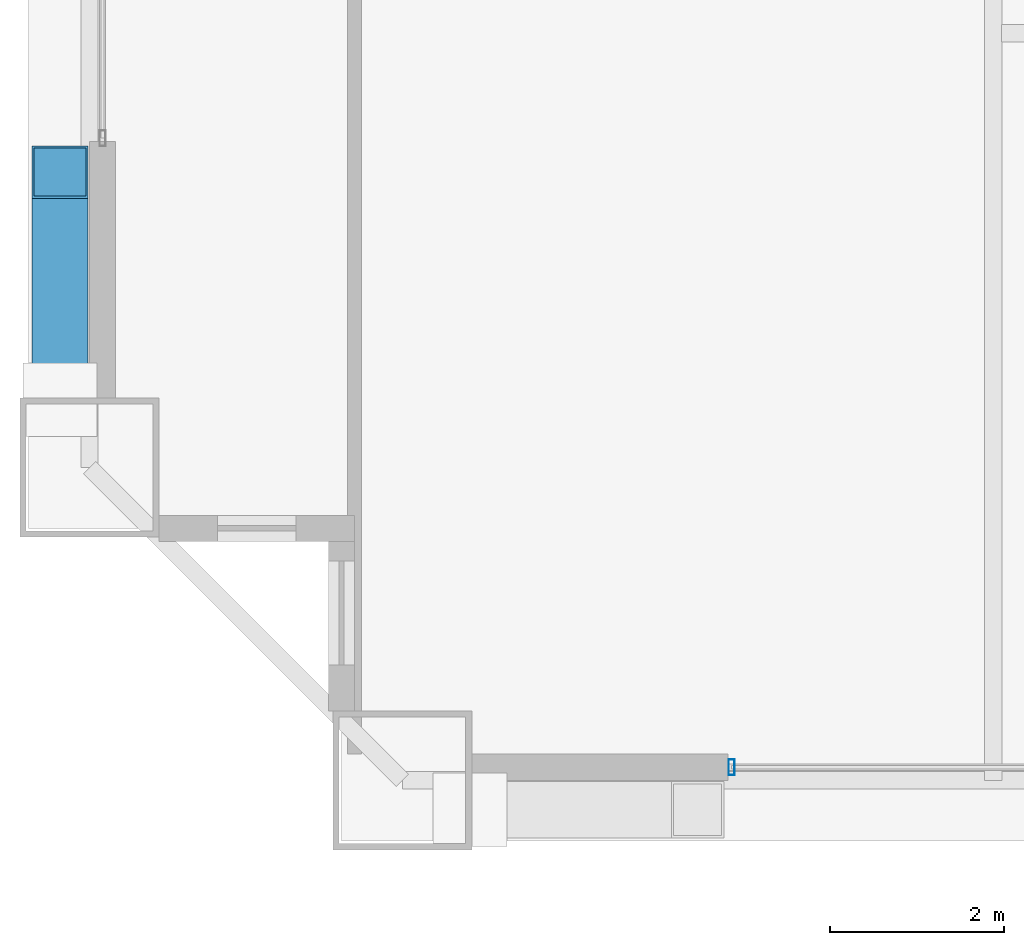
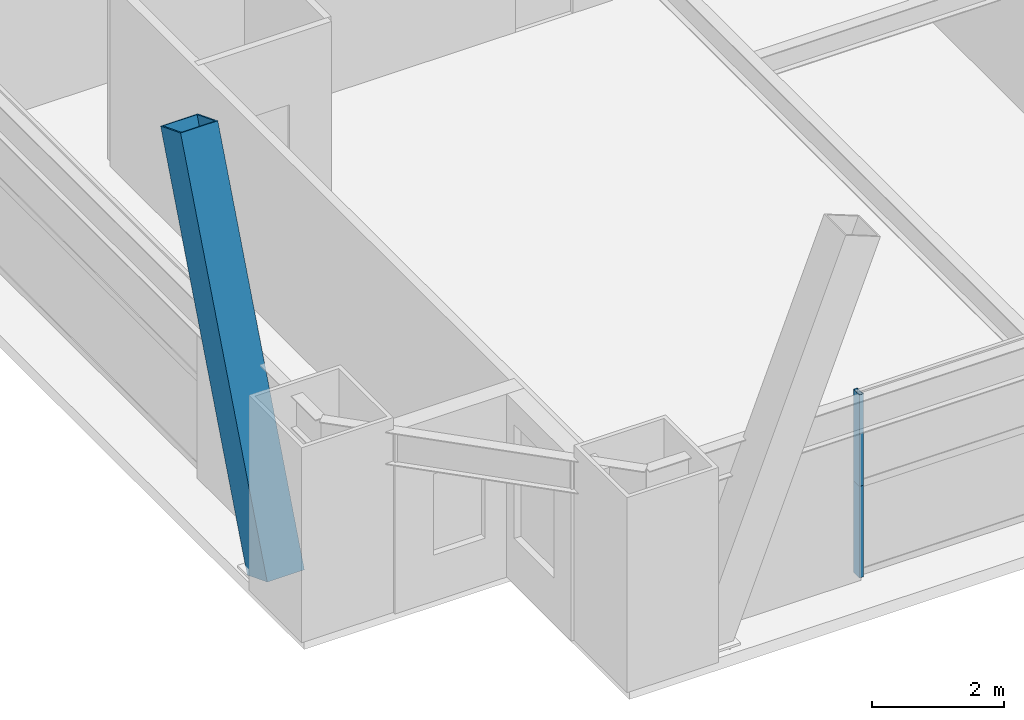
# One storey, part 3 of 43: 3 members, 1 element without a shape of its own.
"""IFC4 building model written with IfcOpenShell, lengths in metres."""

from ifc_helpers import new_model, si_unit, direction, frame, origin, origin_2d, place, context, subcontext, project, spatial, hollow_rectangle, extrude, source, transform, mapped, material, layer, layer_set, material_profile, profile_set, type_object, element, aggregate, save


model = new_model("IFC4")

# Units and contexts
model_context = context("Model", 3, precision=1e-05, world=origin(), true_north=direction((0.0, 1.0)))
body_context = subcontext(model_context, "Body", "Model", "MODEL_VIEW")
ifc_project = project(units=[si_unit("LENGTHUNIT", "METRE"), si_unit("AREAUNIT", "SQUARE_METRE"), si_unit("VOLUMEUNIT", "CUBIC_METRE"), si_unit("PLANEANGLEUNIT", "RADIAN"), si_unit("MASSUNIT", "GRAM", prefix="KILO"), si_unit("THERMODYNAMICTEMPERATUREUNIT", "KELVIN"), si_unit("POWERUNIT", "WATT")], contexts=[model_context])

# Site, building, storey
site_placement = place(None, origin())
site = spatial("IfcSite", under=ifc_project, at=site_placement, CompositionType="ELEMENT")
building_placement = place(site_placement, origin())
building = spatial("IfcBuilding", under=site, at=building_placement, Name="Yuzanri Waterfront Tower", CompositionType="ELEMENT")
storey_placement = place(building_placement, frame((0.0, 0.0, 101.0)))
storey = spatial("IfcBuildingStorey", under=building, at=storey_placement, Name="L26", CompositionType="ELEMENT", Elevation=101.0)

# Member
ifc_material_1 = material(Name="Steel Q420GJC", Category="steel")
ifc_material_profile_1 = material_profile(ifc_material_1, hollow_rectangle(XDim=0.64990234375, YDim=0.64990234375, WallThickness=0.028076171875, at=origin_2d()), Name="RHS 650x650x28")
ifc_profile_set_1 = profile_set([ifc_material_profile_1], Name="Steel Q420GJC")
member_type_1 = type_object("IfcMemberType", Name="Mega Brace Lower Q420GJC RHS 650x650x28", PredefinedType="BRACE", material=ifc_profile_set_1)
shared_shape_1 = source(origin(), body_context, "Body", "SweptSolid", [
    extrude(hollow_rectangle(XDim=0.64990234375, YDim=0.64990234375, WallThickness=0.028076171875, at=origin_2d()), origin(), (0.0, 0.0, 1.0), 7.19384765625),
])
member_1_placement = place(storey_placement, frame((13.06005859375, 6.580078125, 0.179931640625), z_axis=(0.0, 0.36417668996, 0.9313298763), x_axis=(-1.0, 0.0, 0.0)))
element("IfcMember", 1, at=member_1_placement, inside=storey, type_object=member_type_1, Name="L26-L27 Perimeter Mega-Brace W-L", PredefinedType="BRACE", context=body_context, shape_type="MappedRepresentation", body=[
    mapped(shared_shape_1, transform((0.0, 0.0, 0.0), scale=1.0)),
])

# Curtain wall, members
ifc_material_2 = material(Name="Anodized Architectural Bronze", Category="metal")
ifc_layer = layer(ifc_material_2, 0.159912109375)
ifc_layer_set = layer_set([ifc_layer], Name="Anodized Architectural Bronze")
curtain_wall_type = type_object("IfcCurtainWallType", Name="Anodized Bronze Hotel Upper-Tier Solar-Control Unitized Curtain Wall 7800", PredefinedType="NOTDEFINED", material=ifc_layer_set)
curtain_wall_placement = place(storey_placement, origin())
curtain_wall = element("IfcCurtainWall", 2, at=curtain_wall_placement, inside=storey, type_object=curtain_wall_type, Name="L26 Curtain Wall CW-L26-SL1", PredefinedType="NOTDEFINED")
ifc_material_3 = material(Name="Anodized Architectural Bronze", Category="metal")
ifc_material_profile_2 = material_profile(ifc_material_3, hollow_rectangle(XDim=0.070068359375, YDim=0.179931640625, WallThickness=0.00390625, at=origin_2d()), Name="CWM 70x180")
ifc_profile_set_2 = profile_set([ifc_material_profile_2], Name="Anodized Architectural Bronze")
member_type_2 = type_object("IfcMemberType", Name="Anodized Bronze Standard Curtain-Wall Mullion 70x180", PredefinedType="MULLION", material=ifc_profile_set_2)
shared_shape_2 = source(origin(), body_context, "Body", "SweptSolid", [
    extrude(hollow_rectangle(XDim=0.070068359375, YDim=0.179931640625, WallThickness=0.00390625, at=origin_2d()), origin(), (0.0, 0.0, 1.0), 1.68798828125),
])
member_2_placement = place(storey_placement, frame((20.7900390625, 2.35009765625, 0.0), z_axis=(0.0, 0.0, 1.0), x_axis=(1.0, 0.0, 0.0)))
member_2 = element("IfcMember", 3, at=member_2_placement, type_object=member_type_2, Name="CW-L26-SL1 Lower Mullion 00", PredefinedType="MULLION", context=body_context, shape_type="MappedRepresentation", body=[
    mapped(shared_shape_2, transform((0.0, 0.0, 0.0), scale=1.0)),
])
member_3_placement = place(storey_placement, frame((20.7900390625, 2.35009765625, 1.69189453125), z_axis=(0.0, 0.0, 1.0), x_axis=(1.0, 0.0, 0.0)))
member_3 = element("IfcMember", 4, at=member_3_placement, type_object=member_type_2, Name="CW-L26-SL1 Upper Mullion 00", PredefinedType="MULLION", context=body_context, shape_type="MappedRepresentation", body=[
    mapped(shared_shape_2, transform((0.0, 0.0, 0.0), scale=1.0)),
])
aggregate(curtain_wall, [member_2, member_3])

save(model, "model.ifc")
